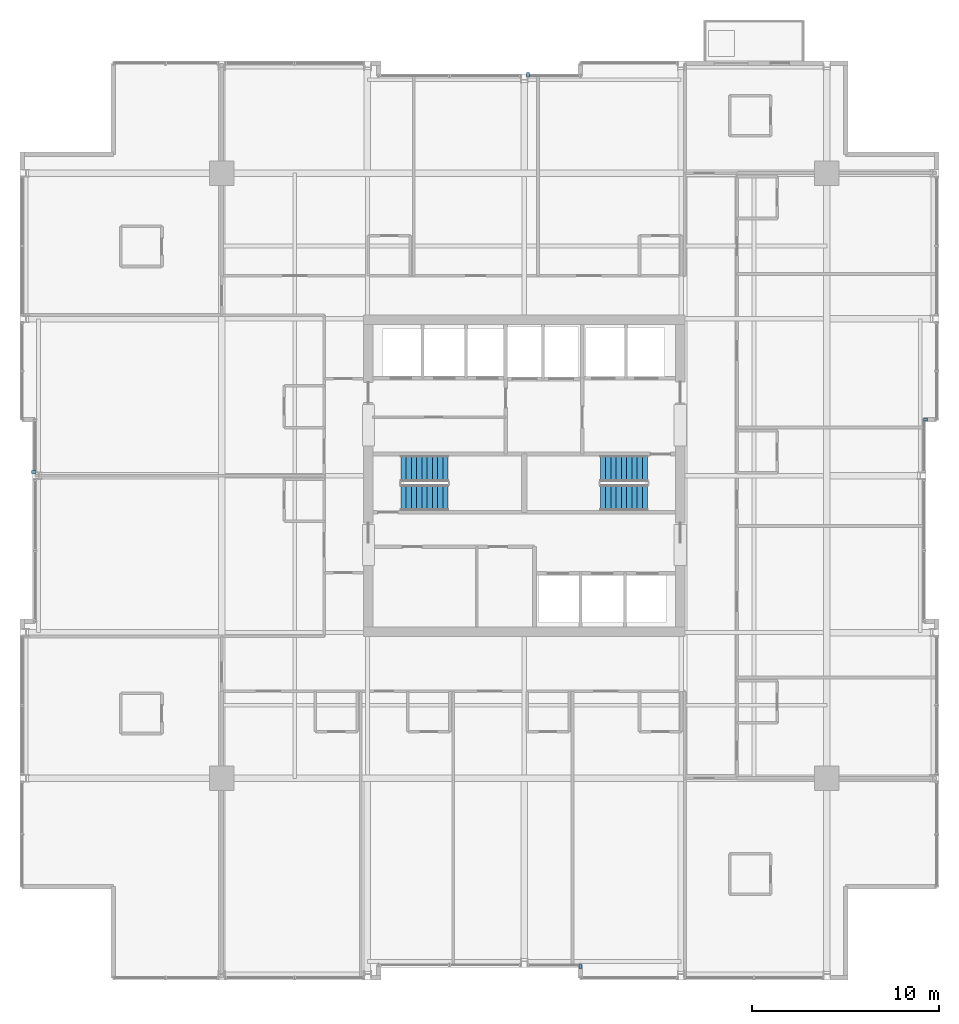
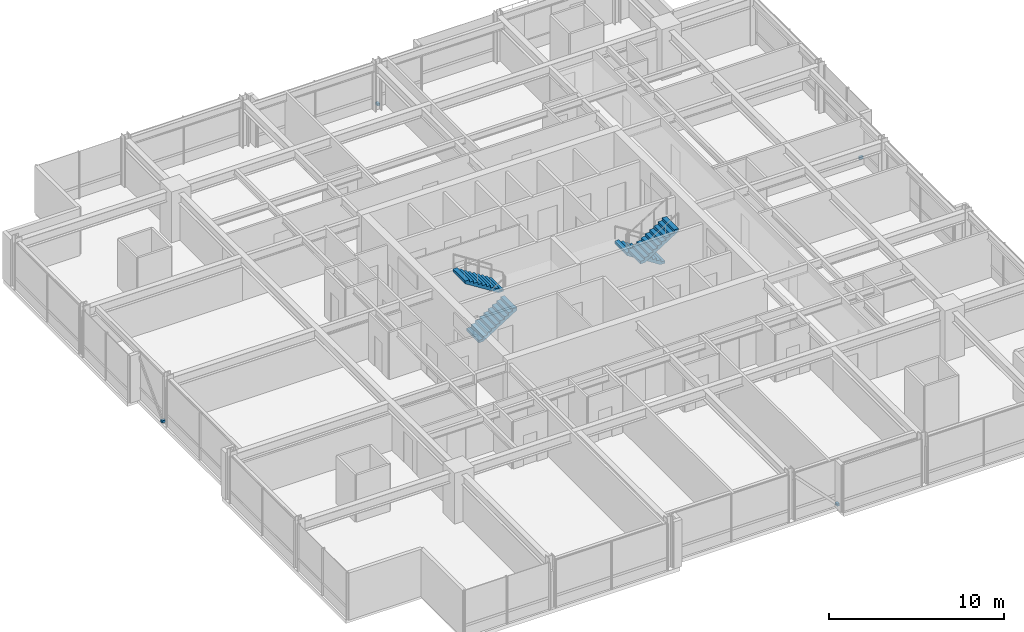
# One storey, part 31 of 34: 4 discrete accessories, 4 stair flights, 2 elements without a shape of their own.
"""IFC4 building model written with IfcOpenShell, lengths in metres."""

from ifc_helpers import new_model, si_unit, direction, frame, origin, origin_2d, place, context, subcontext, project, spatial, polyline, rectangle, outline, extrude, material, type_object, element, aggregate, save


model = new_model("IFC4")

# Units and contexts
model_context = context("Model", 3, precision=1e-05, world=origin(), true_north=direction((0.0, 1.0)))
body_context = subcontext(model_context, "Body", "Model", "MODEL_VIEW")
ifc_project = project(units=[si_unit("LENGTHUNIT", "METRE"), si_unit("AREAUNIT", "SQUARE_METRE"), si_unit("VOLUMEUNIT", "CUBIC_METRE"), si_unit("PLANEANGLEUNIT", "RADIAN"), si_unit("MASSUNIT", "GRAM", prefix="KILO")], contexts=[model_context])

# Site, building, storey
site_placement = place(None, origin())
site = spatial("IfcSite", under=ifc_project, at=site_placement, CompositionType="ELEMENT")
building_placement = place(site_placement, origin())
building = spatial("IfcBuilding", under=site, at=building_placement, Name="Drelvath Grand Hotel", CompositionType="ELEMENT")
storey_placement = place(building_placement, frame((0.0, 0.0, 175.25)))
storey = spatial("IfcBuildingStorey", under=building, at=storey_placement, Name="L45", CompositionType="ELEMENT", Elevation=175.25)

# Stair, stair flights
ifc_material_1 = material(Name="Concrete C40/50", Category="concrete")
stair_type = type_object("IfcStairType", Name="Dogleg Exit Stair W1400-R177.5", PredefinedType="HALF_TURN_STAIR", material=ifc_material_1)
stair_1_placement = place(storey_placement, origin())
stair_1 = element("IfcStair", 1, at=stair_1_placement, inside=storey, type_object=stair_type, Name="L45 Core Exit Stair ST-1", PredefinedType="HALF_TURN_STAIR")
stair_flight_type = type_object("IfcStairFlightType", Name="Concrete Stair Flight W1400-R177.5", PredefinedType="STRAIGHT", material=ifc_material_1)
stair_flight_1_placement = place(storey_placement, frame((-6.60009765625, 25.820068359375, 0.0), z_axis=(0.0, 0.0, 1.0), x_axis=(1.0, 0.0, 0.0)))
stair_flight_1 = element("IfcStairFlight", 2, at=stair_flight_1_placement, type_object=stair_flight_type, Name="ST-1 flight 1", NumberOfRisers=10, NumberOfTreads=9, PredefinedType="STRAIGHT", RiserHeight=0.1775, TreadLength=0.28, context=body_context, shape_type="SweptSolid", body=[
    extrude(outline(polyline([(0.0, 0.0), (0.0, 0.177490234375), (0.280029296875, 0.177490234375), (0.280029296875, 0.35498046875), (0.56005859375, 0.35498046875), (0.56005859375, 0.532470703125), (0.840087890625, 0.532470703125), (0.840087890625, 0.7099609375), (1.1201171875, 0.7099609375), (1.1201171875, 0.887451171875), (1.39990234375, 0.887451171875), (1.39990234375, 1.06494140625), (1.679931640625, 1.06494140625), (1.679931640625, 1.242431640625), (1.9599609375, 1.242431640625), (1.9599609375, 1.419921875), (2.239990234375, 1.419921875), (2.239990234375, 1.597412109375), (2.52001953125, 1.597412109375), (2.52001953125, 1.77490234375), (2.52001953125, 1.408203125), (0.298583984375, 0.0), (0.0, 0.0)])), frame((0.0, 0.699951171875, 0.0), z_axis=(0.0, -1.0, 0.0), x_axis=(1.0, 0.0, 0.0)), (0.0, 0.0, 1.0), 1.39990234375),
])
stair_flight_2_placement = place(storey_placement, frame((-4.080078125, 27.3798828125, 1.77490234375), z_axis=(0.0, 0.0, 1.0), x_axis=(-1.0, 0.0, 0.0)))
stair_flight_2 = element("IfcStairFlight", 3, at=stair_flight_2_placement, type_object=stair_flight_type, Name="ST-1 flight 2", NumberOfRisers=10, NumberOfTreads=9, PredefinedType="STRAIGHT", RiserHeight=0.1775, TreadLength=0.28, context=body_context, shape_type="SweptSolid", body=[
    extrude(outline(polyline([(0.0, 0.0), (0.0, 0.177490234375), (0.280029296875, 0.177490234375), (0.280029296875, 0.35498046875), (0.56005859375, 0.35498046875), (0.56005859375, 0.532470703125), (0.840087890625, 0.532470703125), (0.840087890625, 0.7099609375), (1.1201171875, 0.7099609375), (1.1201171875, 0.887451171875), (1.39990234375, 0.887451171875), (1.39990234375, 1.06494140625), (1.679931640625, 1.06494140625), (1.679931640625, 1.242431640625), (1.9599609375, 1.242431640625), (1.9599609375, 1.419921875), (2.239990234375, 1.419921875), (2.239990234375, 1.597412109375), (2.52001953125, 1.597412109375), (2.52001953125, 1.77490234375), (2.52001953125, 1.408203125), (0.298583984375, 0.0), (0.0, 0.0)])), frame((0.0, 0.699951171875, 0.0), z_axis=(0.0, -1.0, 0.0), x_axis=(1.0, 0.0, 0.0)), (0.0, 0.0, 1.0), 1.39990234375),
])
aggregate(stair_1, [stair_flight_1, stair_flight_2])

stair_2_placement = place(storey_placement, origin())
stair_2 = element("IfcStair", 4, at=stair_2_placement, inside=storey, type_object=stair_type, Name="L45 Core Exit Stair ST-2", PredefinedType="HALF_TURN_STAIR")
stair_flight_3_placement = place(storey_placement, frame((6.60009765625, 27.3798828125, 0.0), z_axis=(0.0, 0.0, 1.0), x_axis=(-1.0, 0.0, 0.0)))
stair_flight_3 = element("IfcStairFlight", 5, at=stair_flight_3_placement, type_object=stair_flight_type, Name="ST-2 flight 1", NumberOfRisers=10, NumberOfTreads=9, PredefinedType="STRAIGHT", RiserHeight=0.1775, TreadLength=0.28, context=body_context, shape_type="SweptSolid", body=[
    extrude(outline(polyline([(0.0, 0.0), (0.0, 0.177490234375), (0.280029296875, 0.177490234375), (0.280029296875, 0.35498046875), (0.56005859375, 0.35498046875), (0.56005859375, 0.532470703125), (0.840087890625, 0.532470703125), (0.840087890625, 0.7099609375), (1.1201171875, 0.7099609375), (1.1201171875, 0.887451171875), (1.39990234375, 0.887451171875), (1.39990234375, 1.06494140625), (1.679931640625, 1.06494140625), (1.679931640625, 1.242431640625), (1.9599609375, 1.242431640625), (1.9599609375, 1.419921875), (2.239990234375, 1.419921875), (2.239990234375, 1.597412109375), (2.52001953125, 1.597412109375), (2.52001953125, 1.77490234375), (2.52001953125, 1.408203125), (0.298583984375, 0.0), (0.0, 0.0)])), frame((0.0, 0.699951171875, 0.0), z_axis=(0.0, -1.0, 0.0), x_axis=(1.0, 0.0, 0.0)), (0.0, 0.0, 1.0), 1.39990234375),
])
stair_flight_4_placement = place(storey_placement, frame((4.080078125, 25.820068359375, 1.77490234375), z_axis=(0.0, 0.0, 1.0), x_axis=(1.0, 0.0, 0.0)))
stair_flight_4 = element("IfcStairFlight", 6, at=stair_flight_4_placement, type_object=stair_flight_type, Name="ST-2 flight 2", NumberOfRisers=10, NumberOfTreads=9, PredefinedType="STRAIGHT", RiserHeight=0.1775, TreadLength=0.28, context=body_context, shape_type="SweptSolid", body=[
    extrude(outline(polyline([(0.0, 0.0), (0.0, 0.177490234375), (0.280029296875, 0.177490234375), (0.280029296875, 0.35498046875), (0.56005859375, 0.35498046875), (0.56005859375, 0.532470703125), (0.840087890625, 0.532470703125), (0.840087890625, 0.7099609375), (1.1201171875, 0.7099609375), (1.1201171875, 0.887451171875), (1.39990234375, 0.887451171875), (1.39990234375, 1.06494140625), (1.679931640625, 1.06494140625), (1.679931640625, 1.242431640625), (1.9599609375, 1.242431640625), (1.9599609375, 1.419921875), (2.239990234375, 1.419921875), (2.239990234375, 1.597412109375), (2.52001953125, 1.597412109375), (2.52001953125, 1.77490234375), (2.52001953125, 1.408203125), (0.298583984375, 0.0), (0.0, 0.0)])), frame((0.0, 0.699951171875, 0.0), z_axis=(0.0, -1.0, 0.0), x_axis=(1.0, 0.0, 0.0)), (0.0, 0.0, 1.0), 1.39990234375),
])
aggregate(stair_2, [stair_flight_3, stair_flight_4])

# Discrete accessories
ifc_material_2 = material(Name="Stainless Steel Grade 316", Category="steel")
discrete_accessory_type = type_object("IfcDiscreteAccessoryType", Name="Curtain Wall Fin Mounting Bracket Cleat", PredefinedType="BRACKET", material=ifc_material_2)
for number, where, z_axis, x_axis, name in (
    (7, (-26.260009765625, 27.2001953125, 0.10009765625), (0.0, 0.0, 1.0), (0.0, 1.0, 0.0), "L45 Fin Mounting Bracket CW04-L45-WM2-1"),
    (8, (21.4599609375, 30.0, 0.10009765625), (0.0, 0.0, 1.0), (0.0, -1.0, 0.0), "L45 Fin Mounting Bracket CW04-L45-EM2-1"),
    (9, (0.2001953125, 48.4599609375, 0.10009765625), (0.0, 0.0, 1.0), (1.0, 0.0, 0.0), "L45 Fin Mounting Bracket CW04-L45-NM2-1"),
    (10, (3.0, 0.739990234375, 0.10009765625), (0.0, 0.0, 1.0), (-1.0, 0.0, 0.0), "L45 Fin Mounting Bracket CW04-L45-SM2-1"),
):
    element("IfcDiscreteAccessory", number, at=place(storey_placement, frame(where, z_axis=z_axis, x_axis=x_axis)), inside=storey, type_object=discrete_accessory_type, Name=name, PredefinedType="BRACKET", context=body_context, shape_type="SweptSolid", body=[
        extrude(rectangle(XDim=0.159912109375, YDim=0.239990234375, at=origin_2d()), origin(), (0.0, 0.0, 1.0), 0.159912109375),
    ])

save(model, "model.ifc")
